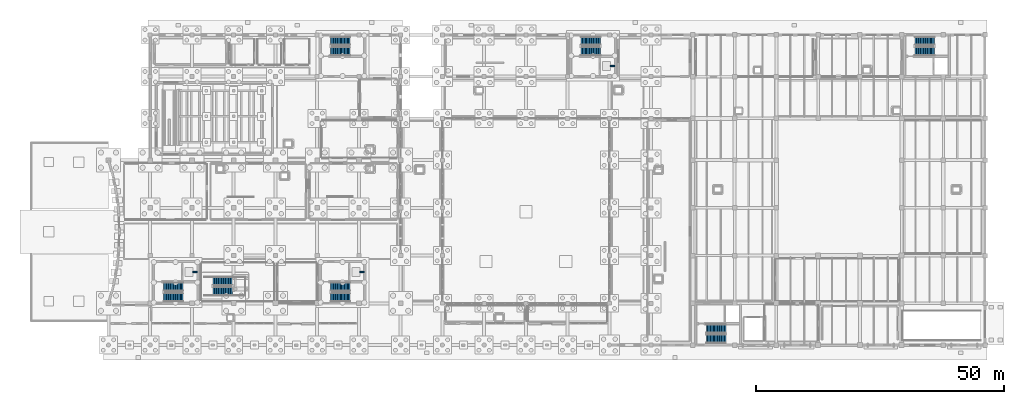
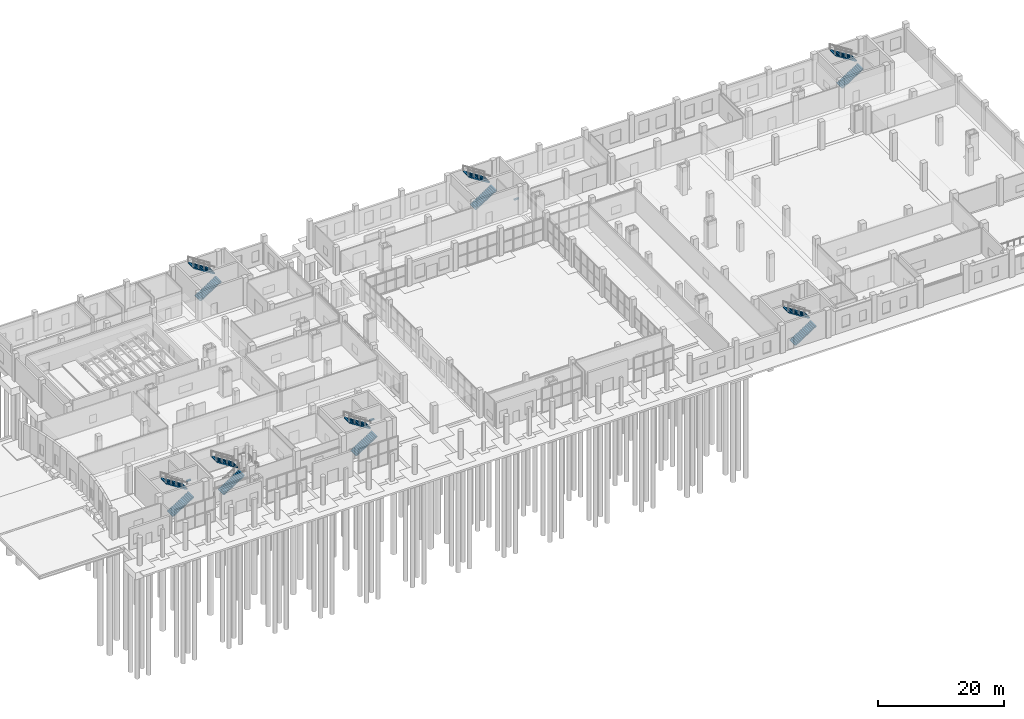
# One storey, part 50 of 65: 14 stair flights, 3 discrete accessories, 7 elements without a shape of their own.
"""IFC4 building model written with IfcOpenShell, lengths in metres."""

from ifc_helpers import new_model, si_unit, direction, frame, origin, origin_2d, place, context, subcontext, project, spatial, polyline, rectangle, outline, extrude, material, type_object, element, aggregate, save


model = new_model("IFC4")

# Units and contexts
model_context = context("Model", 3, precision=1e-05, world=origin(), true_north=direction((0.0, 1.0)))
body_context = subcontext(model_context, "Body", "Model", "MODEL_VIEW")
ifc_project = project(units=[si_unit("LENGTHUNIT", "METRE"), si_unit("AREAUNIT", "SQUARE_METRE"), si_unit("VOLUMEUNIT", "CUBIC_METRE"), si_unit("PLANEANGLEUNIT", "RADIAN"), si_unit("MASSUNIT", "GRAM", prefix="KILO")], contexts=[model_context])

# Site, building, storey
site_placement = place(None, origin())
site = spatial("IfcSite", under=ifc_project, at=site_placement, CompositionType="ELEMENT")
building_placement = place(site_placement, origin())
building = spatial("IfcBuilding", under=site, at=building_placement, Name="Zulmaris Art Gallery", CompositionType="ELEMENT")
storey_placement = place(building_placement, origin())
storey = spatial("IfcBuildingStorey", under=building, at=storey_placement, Name="L00", CompositionType="ELEMENT", Elevation=0.0)

# Stair, stair flights
ifc_material_1 = material(Name="Concrete C40/50", Category="concrete")
stair_type_1 = type_object("IfcStairType", Name="STAIR-CORE", PredefinedType="HALF_TURN_STAIR", material=ifc_material_1)
stair_1_placement = place(storey_placement, origin())
stair_1 = element("IfcStair", 1, at=stair_1_placement, inside=storey, type_object=stair_type_1, Name="L00 Exit Stair ST1", PredefinedType="HALF_TURN_STAIR")
stair_flight_type_1 = type_object("IfcStairFlightType", Name="STFLT-CORE", PredefinedType="STRAIGHT", material=ifc_material_1)
stair_flight_1_placement = place(storey_placement, frame((35.10009765625, 22.824951171875, 0.0), z_axis=(0.0, 0.0, 1.0), x_axis=(1.0, 0.0, 0.0)))
stair_flight_1 = element("IfcStairFlight", 2, at=stair_flight_1_placement, type_object=stair_flight_type_1, Name="ST1 flight 1", NumberOfRisers=15, NumberOfTreads=14, PredefinedType="STRAIGHT", RiserHeight=0.18, TreadLength=0.28, context=body_context, shape_type="SweptSolid", body=[
    extrude(outline(polyline([(0.0, 0.0), (0.0, 0.179931640625), (0.280029296875, 0.179931640625), (0.280029296875, 0.360107421875), (0.56005859375, 0.360107421875), (0.56005859375, 0.5400390625), (0.840087890625, 0.5400390625), (0.840087890625, 0.719970703125), (1.1201171875, 0.719970703125), (1.1201171875, 0.89990234375), (1.39990234375, 0.89990234375), (1.39990234375, 1.080078125), (1.679931640625, 1.080078125), (1.679931640625, 1.260009765625), (1.9599609375, 1.260009765625), (1.9599609375, 1.43994140625), (2.239990234375, 1.43994140625), (2.239990234375, 1.6201171875), (2.52001953125, 1.6201171875), (2.52001953125, 1.800048828125), (2.800048828125, 1.800048828125), (2.800048828125, 1.97998046875), (3.080078125, 1.97998046875), (3.080078125, 2.159912109375), (3.360107421875, 2.159912109375), (3.360107421875, 2.340087890625), (3.639892578125, 2.340087890625), (3.639892578125, 2.52001953125), (3.919921875, 2.52001953125), (3.919921875, 2.699951171875), (3.919921875, 2.341796875), (0.277099609375, 0.0), (0.0, 0.0)])), frame((0.0, 0.875, 0.0), z_axis=(0.0, -1.0, 0.0), x_axis=(1.0, 0.0, 0.0)), (0.0, 0.0, 1.0), 1.75),
])
stair_flight_2_placement = place(storey_placement, frame((39.02001953125, 24.9150390625, 2.699951171875), z_axis=(0.0, 0.0, 1.0), x_axis=(-1.0, 0.0, 0.0)))
stair_flight_2 = element("IfcStairFlight", 3, at=stair_flight_2_placement, type_object=stair_flight_type_1, Name="ST1 flight 2", NumberOfRisers=15, NumberOfTreads=14, PredefinedType="STRAIGHT", RiserHeight=0.18, TreadLength=0.28, context=body_context, shape_type="SweptSolid", body=[
    extrude(outline(polyline([(0.0, 0.0), (0.0, 0.179931640625), (0.280029296875, 0.179931640625), (0.280029296875, 0.360107421875), (0.56005859375, 0.360107421875), (0.56005859375, 0.5400390625), (0.840087890625, 0.5400390625), (0.840087890625, 0.719970703125), (1.1201171875, 0.719970703125), (1.1201171875, 0.89990234375), (1.39990234375, 0.89990234375), (1.39990234375, 1.080078125), (1.679931640625, 1.080078125), (1.679931640625, 1.260009765625), (1.9599609375, 1.260009765625), (1.9599609375, 1.43994140625), (2.239990234375, 1.43994140625), (2.239990234375, 1.6201171875), (2.52001953125, 1.6201171875), (2.52001953125, 1.800048828125), (2.800048828125, 1.800048828125), (2.800048828125, 1.97998046875), (3.080078125, 1.97998046875), (3.080078125, 2.159912109375), (3.360107421875, 2.159912109375), (3.360107421875, 2.340087890625), (3.639892578125, 2.340087890625), (3.639892578125, 2.52001953125), (3.919921875, 2.52001953125), (3.919921875, 2.699951171875), (3.919921875, 2.341796875), (0.277099609375, 0.0), (0.0, 0.0)])), frame((0.0, 0.875, 0.0), z_axis=(0.0, -1.0, 0.0), x_axis=(1.0, 0.0, 0.0)), (0.0, 0.0, 1.0), 1.75),
])
aggregate(stair_1, [stair_flight_1, stair_flight_2])

stair_2_placement = place(storey_placement, origin())
stair_2 = element("IfcStair", 4, at=stair_2_placement, inside=storey, type_object=stair_type_1, Name="L00 Exit Stair ST2", PredefinedType="HALF_TURN_STAIR")
stair_flight_3_placement = place(storey_placement, frame((68.699951171875, 22.824951171875, 0.0), z_axis=(0.0, 0.0, 1.0), x_axis=(1.0, 0.0, 0.0)))
stair_flight_3 = element("IfcStairFlight", 5, at=stair_flight_3_placement, type_object=stair_flight_type_1, Name="ST2 flight 1", NumberOfRisers=15, NumberOfTreads=14, PredefinedType="STRAIGHT", RiserHeight=0.18, TreadLength=0.28, context=body_context, shape_type="SweptSolid", body=[
    extrude(outline(polyline([(0.0, 0.0), (0.0, 0.179931640625), (0.280029296875, 0.179931640625), (0.280029296875, 0.360107421875), (0.56005859375, 0.360107421875), (0.56005859375, 0.5400390625), (0.840087890625, 0.5400390625), (0.840087890625, 0.719970703125), (1.1201171875, 0.719970703125), (1.1201171875, 0.89990234375), (1.39990234375, 0.89990234375), (1.39990234375, 1.080078125), (1.679931640625, 1.080078125), (1.679931640625, 1.260009765625), (1.9599609375, 1.260009765625), (1.9599609375, 1.43994140625), (2.239990234375, 1.43994140625), (2.239990234375, 1.6201171875), (2.52001953125, 1.6201171875), (2.52001953125, 1.800048828125), (2.800048828125, 1.800048828125), (2.800048828125, 1.97998046875), (3.080078125, 1.97998046875), (3.080078125, 2.159912109375), (3.360107421875, 2.159912109375), (3.360107421875, 2.340087890625), (3.639892578125, 2.340087890625), (3.639892578125, 2.52001953125), (3.919921875, 2.52001953125), (3.919921875, 2.699951171875), (3.919921875, 2.341796875), (0.277099609375, 0.0), (0.0, 0.0)])), frame((0.0, 0.875, 0.0), z_axis=(0.0, -1.0, 0.0), x_axis=(1.0, 0.0, 0.0)), (0.0, 0.0, 1.0), 1.75),
])
stair_flight_4_placement = place(storey_placement, frame((72.6201171875, 24.9150390625, 2.699951171875), z_axis=(0.0, 0.0, 1.0), x_axis=(-1.0, 0.0, 0.0)))
stair_flight_4 = element("IfcStairFlight", 6, at=stair_flight_4_placement, type_object=stair_flight_type_1, Name="ST2 flight 2", NumberOfRisers=15, NumberOfTreads=14, PredefinedType="STRAIGHT", RiserHeight=0.18, TreadLength=0.28, context=body_context, shape_type="SweptSolid", body=[
    extrude(outline(polyline([(0.0, 0.0), (0.0, 0.179931640625), (0.280029296875, 0.179931640625), (0.280029296875, 0.360107421875), (0.56005859375, 0.360107421875), (0.56005859375, 0.5400390625), (0.840087890625, 0.5400390625), (0.840087890625, 0.719970703125), (1.1201171875, 0.719970703125), (1.1201171875, 0.89990234375), (1.39990234375, 0.89990234375), (1.39990234375, 1.080078125), (1.679931640625, 1.080078125), (1.679931640625, 1.260009765625), (1.9599609375, 1.260009765625), (1.9599609375, 1.43994140625), (2.239990234375, 1.43994140625), (2.239990234375, 1.6201171875), (2.52001953125, 1.6201171875), (2.52001953125, 1.800048828125), (2.800048828125, 1.800048828125), (2.800048828125, 1.97998046875), (3.080078125, 1.97998046875), (3.080078125, 2.159912109375), (3.360107421875, 2.159912109375), (3.360107421875, 2.340087890625), (3.639892578125, 2.340087890625), (3.639892578125, 2.52001953125), (3.919921875, 2.52001953125), (3.919921875, 2.699951171875), (3.919921875, 2.341796875), (0.277099609375, 0.0), (0.0, 0.0)])), frame((0.0, 0.875, 0.0), z_axis=(0.0, -1.0, 0.0), x_axis=(1.0, 0.0, 0.0)), (0.0, 0.0, 1.0), 1.75),
])
aggregate(stair_2, [stair_flight_3, stair_flight_4])

stair_3_placement = place(storey_placement, origin())
stair_3 = element("IfcStair", 7, at=stair_3_placement, inside=storey, type_object=stair_type_1, Name="L00 Exit Stair ST3", PredefinedType="HALF_TURN_STAIR")
stair_flight_5_placement = place(storey_placement, frame((144.300048828125, 14.425048828125, 0.0), z_axis=(0.0, 0.0, 1.0), x_axis=(1.0, 0.0, 0.0)))
stair_flight_5 = element("IfcStairFlight", 8, at=stair_flight_5_placement, type_object=stair_flight_type_1, Name="ST3 flight 1", NumberOfRisers=15, NumberOfTreads=14, PredefinedType="STRAIGHT", RiserHeight=0.18, TreadLength=0.28, context=body_context, shape_type="SweptSolid", body=[
    extrude(outline(polyline([(0.0, 0.0), (0.0, 0.179931640625), (0.280029296875, 0.179931640625), (0.280029296875, 0.360107421875), (0.56005859375, 0.360107421875), (0.56005859375, 0.5400390625), (0.840087890625, 0.5400390625), (0.840087890625, 0.719970703125), (1.1201171875, 0.719970703125), (1.1201171875, 0.89990234375), (1.39990234375, 0.89990234375), (1.39990234375, 1.080078125), (1.679931640625, 1.080078125), (1.679931640625, 1.260009765625), (1.9599609375, 1.260009765625), (1.9599609375, 1.43994140625), (2.239990234375, 1.43994140625), (2.239990234375, 1.6201171875), (2.52001953125, 1.6201171875), (2.52001953125, 1.800048828125), (2.800048828125, 1.800048828125), (2.800048828125, 1.97998046875), (3.080078125, 1.97998046875), (3.080078125, 2.159912109375), (3.360107421875, 2.159912109375), (3.360107421875, 2.340087890625), (3.639892578125, 2.340087890625), (3.639892578125, 2.52001953125), (3.919921875, 2.52001953125), (3.919921875, 2.699951171875), (3.919921875, 2.341796875), (0.277099609375, 0.0), (0.0, 0.0)])), frame((0.0, 0.875, 0.0), z_axis=(0.0, -1.0, 0.0), x_axis=(1.0, 0.0, 0.0)), (0.0, 0.0, 1.0), 1.75),
])
stair_flight_6_placement = place(storey_placement, frame((148.219970703125, 16.514892578125, 2.699951171875), z_axis=(0.0, 0.0, 1.0), x_axis=(-1.0, 0.0, 0.0)))
stair_flight_6 = element("IfcStairFlight", 9, at=stair_flight_6_placement, type_object=stair_flight_type_1, Name="ST3 flight 2", NumberOfRisers=15, NumberOfTreads=14, PredefinedType="STRAIGHT", RiserHeight=0.18, TreadLength=0.28, context=body_context, shape_type="SweptSolid", body=[
    extrude(outline(polyline([(0.0, 0.0), (0.0, 0.179931640625), (0.280029296875, 0.179931640625), (0.280029296875, 0.360107421875), (0.56005859375, 0.360107421875), (0.56005859375, 0.5400390625), (0.840087890625, 0.5400390625), (0.840087890625, 0.719970703125), (1.1201171875, 0.719970703125), (1.1201171875, 0.89990234375), (1.39990234375, 0.89990234375), (1.39990234375, 1.080078125), (1.679931640625, 1.080078125), (1.679931640625, 1.260009765625), (1.9599609375, 1.260009765625), (1.9599609375, 1.43994140625), (2.239990234375, 1.43994140625), (2.239990234375, 1.6201171875), (2.52001953125, 1.6201171875), (2.52001953125, 1.800048828125), (2.800048828125, 1.800048828125), (2.800048828125, 1.97998046875), (3.080078125, 1.97998046875), (3.080078125, 2.159912109375), (3.360107421875, 2.159912109375), (3.360107421875, 2.340087890625), (3.639892578125, 2.340087890625), (3.639892578125, 2.52001953125), (3.919921875, 2.52001953125), (3.919921875, 2.699951171875), (3.919921875, 2.341796875), (0.277099609375, 0.0), (0.0, 0.0)])), frame((0.0, 0.875, 0.0), z_axis=(0.0, -1.0, 0.0), x_axis=(1.0, 0.0, 0.0)), (0.0, 0.0, 1.0), 1.75),
])
aggregate(stair_3, [stair_flight_5, stair_flight_6])

stair_4_placement = place(storey_placement, origin())
stair_4 = element("IfcStair", 10, at=stair_4_placement, inside=storey, type_object=stair_type_1, Name="L00 Exit Stair ST4", PredefinedType="HALF_TURN_STAIR")
stair_flight_7_placement = place(storey_placement, frame((186.300048828125, 72.284912109375, 0.0), z_axis=(0.0, 0.0, 1.0), x_axis=(1.0, 0.0, 0.0)))
stair_flight_7 = element("IfcStairFlight", 11, at=stair_flight_7_placement, type_object=stair_flight_type_1, Name="ST4 flight 1", NumberOfRisers=15, NumberOfTreads=14, PredefinedType="STRAIGHT", RiserHeight=0.18, TreadLength=0.28, context=body_context, shape_type="SweptSolid", body=[
    extrude(outline(polyline([(0.0, 0.0), (0.0, 0.179931640625), (0.280029296875, 0.179931640625), (0.280029296875, 0.360107421875), (0.56005859375, 0.360107421875), (0.56005859375, 0.5400390625), (0.840087890625, 0.5400390625), (0.840087890625, 0.719970703125), (1.1201171875, 0.719970703125), (1.1201171875, 0.89990234375), (1.39990234375, 0.89990234375), (1.39990234375, 1.080078125), (1.679931640625, 1.080078125), (1.679931640625, 1.260009765625), (1.9599609375, 1.260009765625), (1.9599609375, 1.43994140625), (2.239990234375, 1.43994140625), (2.239990234375, 1.6201171875), (2.52001953125, 1.6201171875), (2.52001953125, 1.800048828125), (2.800048828125, 1.800048828125), (2.800048828125, 1.97998046875), (3.080078125, 1.97998046875), (3.080078125, 2.159912109375), (3.360107421875, 2.159912109375), (3.360107421875, 2.340087890625), (3.639892578125, 2.340087890625), (3.639892578125, 2.52001953125), (3.919921875, 2.52001953125), (3.919921875, 2.699951171875), (3.919921875, 2.341796875), (0.277099609375, 0.0), (0.0, 0.0)])), frame((0.0, 0.875, 0.0), z_axis=(0.0, -1.0, 0.0), x_axis=(1.0, 0.0, 0.0)), (0.0, 0.0, 1.0), 1.75),
])
stair_flight_8_placement = place(storey_placement, frame((190.219970703125, 74.375, 2.699951171875), z_axis=(0.0, 0.0, 1.0), x_axis=(-1.0, 0.0, 0.0)))
stair_flight_8 = element("IfcStairFlight", 12, at=stair_flight_8_placement, type_object=stair_flight_type_1, Name="ST4 flight 2", NumberOfRisers=15, NumberOfTreads=14, PredefinedType="STRAIGHT", RiserHeight=0.18, TreadLength=0.28, context=body_context, shape_type="SweptSolid", body=[
    extrude(outline(polyline([(0.0, 0.0), (0.0, 0.179931640625), (0.280029296875, 0.179931640625), (0.280029296875, 0.360107421875), (0.56005859375, 0.360107421875), (0.56005859375, 0.5400390625), (0.840087890625, 0.5400390625), (0.840087890625, 0.719970703125), (1.1201171875, 0.719970703125), (1.1201171875, 0.89990234375), (1.39990234375, 0.89990234375), (1.39990234375, 1.080078125), (1.679931640625, 1.080078125), (1.679931640625, 1.260009765625), (1.9599609375, 1.260009765625), (1.9599609375, 1.43994140625), (2.239990234375, 1.43994140625), (2.239990234375, 1.6201171875), (2.52001953125, 1.6201171875), (2.52001953125, 1.800048828125), (2.800048828125, 1.800048828125), (2.800048828125, 1.97998046875), (3.080078125, 1.97998046875), (3.080078125, 2.159912109375), (3.360107421875, 2.159912109375), (3.360107421875, 2.340087890625), (3.639892578125, 2.340087890625), (3.639892578125, 2.52001953125), (3.919921875, 2.52001953125), (3.919921875, 2.699951171875), (3.919921875, 2.341796875), (0.277099609375, 0.0), (0.0, 0.0)])), frame((0.0, 0.875, 0.0), z_axis=(0.0, -1.0, 0.0), x_axis=(1.0, 0.0, 0.0)), (0.0, 0.0, 1.0), 1.75),
])
aggregate(stair_4, [stair_flight_7, stair_flight_8])

stair_5_placement = place(storey_placement, origin())
stair_5 = element("IfcStair", 13, at=stair_5_placement, inside=storey, type_object=stair_type_1, Name="L00 Exit Stair ST5", PredefinedType="HALF_TURN_STAIR")
stair_flight_9_placement = place(storey_placement, frame((119.10009765625, 72.284912109375, 0.0), z_axis=(0.0, 0.0, 1.0), x_axis=(1.0, 0.0, 0.0)))
stair_flight_9 = element("IfcStairFlight", 14, at=stair_flight_9_placement, type_object=stair_flight_type_1, Name="ST5 flight 1", NumberOfRisers=15, NumberOfTreads=14, PredefinedType="STRAIGHT", RiserHeight=0.18, TreadLength=0.28, context=body_context, shape_type="SweptSolid", body=[
    extrude(outline(polyline([(0.0, 0.0), (0.0, 0.179931640625), (0.280029296875, 0.179931640625), (0.280029296875, 0.360107421875), (0.56005859375, 0.360107421875), (0.56005859375, 0.5400390625), (0.840087890625, 0.5400390625), (0.840087890625, 0.719970703125), (1.1201171875, 0.719970703125), (1.1201171875, 0.89990234375), (1.39990234375, 0.89990234375), (1.39990234375, 1.080078125), (1.679931640625, 1.080078125), (1.679931640625, 1.260009765625), (1.9599609375, 1.260009765625), (1.9599609375, 1.43994140625), (2.239990234375, 1.43994140625), (2.239990234375, 1.6201171875), (2.52001953125, 1.6201171875), (2.52001953125, 1.800048828125), (2.800048828125, 1.800048828125), (2.800048828125, 1.97998046875), (3.080078125, 1.97998046875), (3.080078125, 2.159912109375), (3.360107421875, 2.159912109375), (3.360107421875, 2.340087890625), (3.639892578125, 2.340087890625), (3.639892578125, 2.52001953125), (3.919921875, 2.52001953125), (3.919921875, 2.699951171875), (3.919921875, 2.341796875), (0.277099609375, 0.0), (0.0, 0.0)])), frame((0.0, 0.875, 0.0), z_axis=(0.0, -1.0, 0.0), x_axis=(1.0, 0.0, 0.0)), (0.0, 0.0, 1.0), 1.75),
])
stair_flight_10_placement = place(storey_placement, frame((123.02001953125, 74.375, 2.699951171875), z_axis=(0.0, 0.0, 1.0), x_axis=(-1.0, 0.0, 0.0)))
stair_flight_10 = element("IfcStairFlight", 15, at=stair_flight_10_placement, type_object=stair_flight_type_1, Name="ST5 flight 2", NumberOfRisers=15, NumberOfTreads=14, PredefinedType="STRAIGHT", RiserHeight=0.18, TreadLength=0.28, context=body_context, shape_type="SweptSolid", body=[
    extrude(outline(polyline([(0.0, 0.0), (0.0, 0.179931640625), (0.280029296875, 0.179931640625), (0.280029296875, 0.360107421875), (0.56005859375, 0.360107421875), (0.56005859375, 0.5400390625), (0.840087890625, 0.5400390625), (0.840087890625, 0.719970703125), (1.1201171875, 0.719970703125), (1.1201171875, 0.89990234375), (1.39990234375, 0.89990234375), (1.39990234375, 1.080078125), (1.679931640625, 1.080078125), (1.679931640625, 1.260009765625), (1.9599609375, 1.260009765625), (1.9599609375, 1.43994140625), (2.239990234375, 1.43994140625), (2.239990234375, 1.6201171875), (2.52001953125, 1.6201171875), (2.52001953125, 1.800048828125), (2.800048828125, 1.800048828125), (2.800048828125, 1.97998046875), (3.080078125, 1.97998046875), (3.080078125, 2.159912109375), (3.360107421875, 2.159912109375), (3.360107421875, 2.340087890625), (3.639892578125, 2.340087890625), (3.639892578125, 2.52001953125), (3.919921875, 2.52001953125), (3.919921875, 2.699951171875), (3.919921875, 2.341796875), (0.277099609375, 0.0), (0.0, 0.0)])), frame((0.0, 0.875, 0.0), z_axis=(0.0, -1.0, 0.0), x_axis=(1.0, 0.0, 0.0)), (0.0, 0.0, 1.0), 1.75),
])
aggregate(stair_5, [stair_flight_9, stair_flight_10])

stair_6_placement = place(storey_placement, origin())
stair_6 = element("IfcStair", 16, at=stair_6_placement, inside=storey, type_object=stair_type_1, Name="L00 Exit Stair ST7", PredefinedType="HALF_TURN_STAIR")
stair_flight_11_placement = place(storey_placement, frame((68.699951171875, 72.284912109375, 0.0), z_axis=(0.0, 0.0, 1.0), x_axis=(1.0, 0.0, 0.0)))
stair_flight_11 = element("IfcStairFlight", 17, at=stair_flight_11_placement, type_object=stair_flight_type_1, Name="ST7 flight 1", NumberOfRisers=15, NumberOfTreads=14, PredefinedType="STRAIGHT", RiserHeight=0.18, TreadLength=0.28, context=body_context, shape_type="SweptSolid", body=[
    extrude(outline(polyline([(0.0, 0.0), (0.0, 0.179931640625), (0.280029296875, 0.179931640625), (0.280029296875, 0.360107421875), (0.56005859375, 0.360107421875), (0.56005859375, 0.5400390625), (0.840087890625, 0.5400390625), (0.840087890625, 0.719970703125), (1.1201171875, 0.719970703125), (1.1201171875, 0.89990234375), (1.39990234375, 0.89990234375), (1.39990234375, 1.080078125), (1.679931640625, 1.080078125), (1.679931640625, 1.260009765625), (1.9599609375, 1.260009765625), (1.9599609375, 1.43994140625), (2.239990234375, 1.43994140625), (2.239990234375, 1.6201171875), (2.52001953125, 1.6201171875), (2.52001953125, 1.800048828125), (2.800048828125, 1.800048828125), (2.800048828125, 1.97998046875), (3.080078125, 1.97998046875), (3.080078125, 2.159912109375), (3.360107421875, 2.159912109375), (3.360107421875, 2.340087890625), (3.639892578125, 2.340087890625), (3.639892578125, 2.52001953125), (3.919921875, 2.52001953125), (3.919921875, 2.699951171875), (3.919921875, 2.341796875), (0.277099609375, 0.0), (0.0, 0.0)])), frame((0.0, 0.875, 0.0), z_axis=(0.0, -1.0, 0.0), x_axis=(1.0, 0.0, 0.0)), (0.0, 0.0, 1.0), 1.75),
])
stair_flight_12_placement = place(storey_placement, frame((72.6201171875, 74.375, 2.699951171875), z_axis=(0.0, 0.0, 1.0), x_axis=(-1.0, 0.0, 0.0)))
stair_flight_12 = element("IfcStairFlight", 18, at=stair_flight_12_placement, type_object=stair_flight_type_1, Name="ST7 flight 2", NumberOfRisers=15, NumberOfTreads=14, PredefinedType="STRAIGHT", RiserHeight=0.18, TreadLength=0.28, context=body_context, shape_type="SweptSolid", body=[
    extrude(outline(polyline([(0.0, 0.0), (0.0, 0.179931640625), (0.280029296875, 0.179931640625), (0.280029296875, 0.360107421875), (0.56005859375, 0.360107421875), (0.56005859375, 0.5400390625), (0.840087890625, 0.5400390625), (0.840087890625, 0.719970703125), (1.1201171875, 0.719970703125), (1.1201171875, 0.89990234375), (1.39990234375, 0.89990234375), (1.39990234375, 1.080078125), (1.679931640625, 1.080078125), (1.679931640625, 1.260009765625), (1.9599609375, 1.260009765625), (1.9599609375, 1.43994140625), (2.239990234375, 1.43994140625), (2.239990234375, 1.6201171875), (2.52001953125, 1.6201171875), (2.52001953125, 1.800048828125), (2.800048828125, 1.800048828125), (2.800048828125, 1.97998046875), (3.080078125, 1.97998046875), (3.080078125, 2.159912109375), (3.360107421875, 2.159912109375), (3.360107421875, 2.340087890625), (3.639892578125, 2.340087890625), (3.639892578125, 2.52001953125), (3.919921875, 2.52001953125), (3.919921875, 2.699951171875), (3.919921875, 2.341796875), (0.277099609375, 0.0), (0.0, 0.0)])), frame((0.0, 0.875, 0.0), z_axis=(0.0, -1.0, 0.0), x_axis=(1.0, 0.0, 0.0)), (0.0, 0.0, 1.0), 1.75),
])
aggregate(stair_6, [stair_flight_11, stair_flight_12])

ifc_material_2 = material(Name="Precast concrete C40/50", Category="concrete")
stair_type_2 = type_object("IfcStairType", Name="STAIR-FEAT", PredefinedType="HALF_TURN_STAIR", material=ifc_material_2)
stair_7_placement = place(storey_placement, origin())
stair_7 = element("IfcStair", 19, at=stair_7_placement, inside=storey, type_object=stair_type_2, Name="L00 Grand Gallery Stair ST6", PredefinedType="HALF_TURN_STAIR")
stair_flight_type_2 = type_object("IfcStairFlightType", Name="STFLT-FEAT", PredefinedType="STRAIGHT", material=ifc_material_2)
stair_flight_13_placement = place(storey_placement, frame((45.050048828125, 23.97509765625, 0.0), z_axis=(0.0, 0.0, 1.0), x_axis=(1.0, 0.0, 0.0)))
stair_flight_13 = element("IfcStairFlight", 20, at=stair_flight_13_placement, type_object=stair_flight_type_2, Name="ST6 flight 1", NumberOfRisers=15, NumberOfTreads=14, PredefinedType="STRAIGHT", RiserHeight=0.18, TreadLength=0.28, context=body_context, shape_type="SweptSolid", body=[
    extrude(outline(polyline([(0.0, 0.0), (0.0, 0.179931640625), (0.280029296875, 0.179931640625), (0.280029296875, 0.360107421875), (0.56005859375, 0.360107421875), (0.56005859375, 0.5400390625), (0.840087890625, 0.5400390625), (0.840087890625, 0.719970703125), (1.1201171875, 0.719970703125), (1.1201171875, 0.89990234375), (1.39990234375, 0.89990234375), (1.39990234375, 1.080078125), (1.679931640625, 1.080078125), (1.679931640625, 1.260009765625), (1.9599609375, 1.260009765625), (1.9599609375, 1.43994140625), (2.239990234375, 1.43994140625), (2.239990234375, 1.6201171875), (2.52001953125, 1.6201171875), (2.52001953125, 1.800048828125), (2.800048828125, 1.800048828125), (2.800048828125, 1.97998046875), (3.080078125, 1.97998046875), (3.080078125, 2.159912109375), (3.360107421875, 2.159912109375), (3.360107421875, 2.340087890625), (3.639892578125, 2.340087890625), (3.639892578125, 2.52001953125), (3.919921875, 2.52001953125), (3.919921875, 2.699951171875), (3.919921875, 2.341796875), (0.277099609375, 0.0), (0.0, 0.0)])), frame((0.0, 0.875, 0.0), z_axis=(0.0, -1.0, 0.0), x_axis=(1.0, 0.0, 0.0)), (0.0, 0.0, 1.0), 1.75),
])
stair_flight_14_placement = place(storey_placement, frame((48.969970703125, 26.06494140625, 2.699951171875), z_axis=(0.0, 0.0, 1.0), x_axis=(-1.0, 0.0, 0.0)))
stair_flight_14 = element("IfcStairFlight", 21, at=stair_flight_14_placement, type_object=stair_flight_type_2, Name="ST6 flight 2", NumberOfRisers=15, NumberOfTreads=14, PredefinedType="STRAIGHT", RiserHeight=0.18, TreadLength=0.28, context=body_context, shape_type="SweptSolid", body=[
    extrude(outline(polyline([(0.0, 0.0), (0.0, 0.179931640625), (0.280029296875, 0.179931640625), (0.280029296875, 0.360107421875), (0.56005859375, 0.360107421875), (0.56005859375, 0.5400390625), (0.840087890625, 0.5400390625), (0.840087890625, 0.719970703125), (1.1201171875, 0.719970703125), (1.1201171875, 0.89990234375), (1.39990234375, 0.89990234375), (1.39990234375, 1.080078125), (1.679931640625, 1.080078125), (1.679931640625, 1.260009765625), (1.9599609375, 1.260009765625), (1.9599609375, 1.43994140625), (2.239990234375, 1.43994140625), (2.239990234375, 1.6201171875), (2.52001953125, 1.6201171875), (2.52001953125, 1.800048828125), (2.800048828125, 1.800048828125), (2.800048828125, 1.97998046875), (3.080078125, 1.97998046875), (3.080078125, 2.159912109375), (3.360107421875, 2.159912109375), (3.360107421875, 2.340087890625), (3.639892578125, 2.340087890625), (3.639892578125, 2.52001953125), (3.919921875, 2.52001953125), (3.919921875, 2.699951171875), (3.919921875, 2.341796875), (0.277099609375, 0.0), (0.0, 0.0)])), frame((0.0, 0.875, 0.0), z_axis=(0.0, -1.0, 0.0), x_axis=(1.0, 0.0, 0.0)), (0.0, 0.0, 1.0), 1.75),
])
aggregate(stair_7, [stair_flight_13, stair_flight_14])

# Discrete accessories
ifc_material_3 = material(Name="Steel S355J2", Category="steel")
discrete_accessory_type = type_object("IfcDiscreteAccessoryType", Name="ACC-BRK01", PredefinedType="BRACKET", material=ifc_material_3)
for number, where, z_axis, x_axis, name in (
    (22, (41.419921875, 27.885009765625, 1.1298828125), (0.0, 0.0, 1.0), (1.0, 0.0, 0.0), "LF-P1 guide-rail bracket"),
    (23, (75.02001953125, 27.885009765625, 1.1298828125), (0.0, 0.0, 1.0), (1.0, 0.0, 0.0), "LF-P2 guide-rail bracket"),
    (24, (125.419921875, 69.31494140625, 1.1298828125), (0.0, 0.0, 1.0), (1.0, 0.0, 0.0), "LF-P3 guide-rail bracket"),
):
    element("IfcDiscreteAccessory", number, at=place(storey_placement, frame(where, z_axis=z_axis, x_axis=x_axis)), inside=storey, type_object=discrete_accessory_type, Name=name, PredefinedType="BRACKET", context=body_context, shape_type="SweptSolid", body=[
        extrude(rectangle(XDim=0.820068359375, YDim=0.300048828125, at=origin_2d()), origin(), (0.0, 0.0, 1.0), 0.239990234375),
    ])

save(model, "model.ifc")
